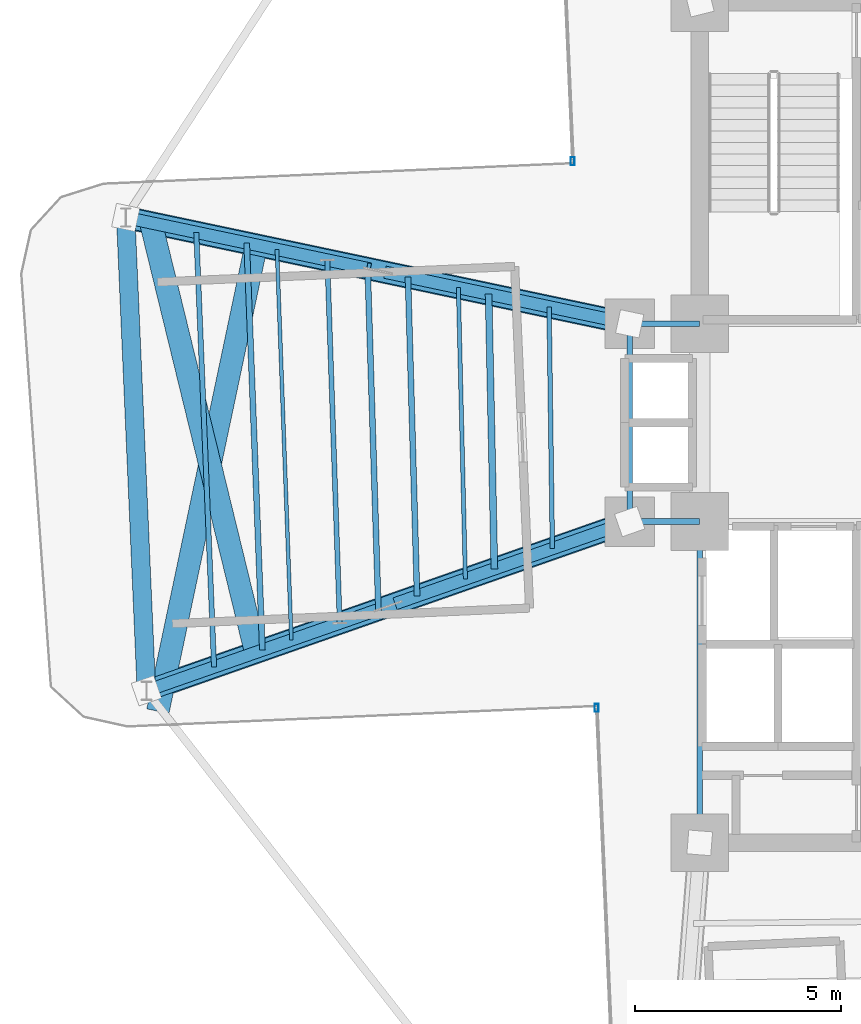
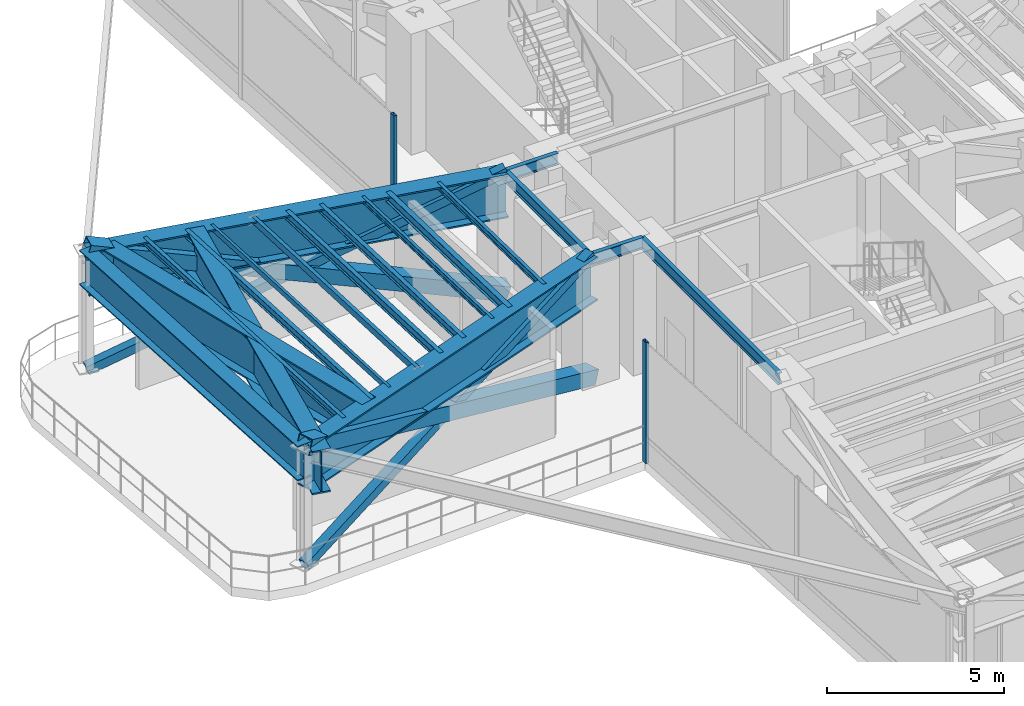
# One storey, part 5 of 18: 18 beams, 8 members, 2 elements without a shape of their own.
"""IFC4 building model written with IfcOpenShell, lengths in metres."""

from ifc_helpers import new_model, si_unit, direction, frame, origin, origin_2d, place, context, subcontext, project, spatial, hollow_rectangle, i_section, extrude, source, transform, mapped, material, material_profile, profile_set, type_object, element, aggregate, save


model = new_model("IFC4")

# Units and contexts
model_context = context("Model", 3, precision=1e-05, world=origin(), true_north=direction((0.0, 1.0)))
body_context = subcontext(model_context, "Body", "Model", "MODEL_VIEW")
ifc_project = project(units=[si_unit("LENGTHUNIT", "METRE"), si_unit("AREAUNIT", "SQUARE_METRE"), si_unit("VOLUMEUNIT", "CUBIC_METRE"), si_unit("PLANEANGLEUNIT", "RADIAN"), si_unit("MASSUNIT", "GRAM", prefix="KILO")], contexts=[model_context])

# Site, building, storey
site_placement = place(None, origin())
site = spatial("IfcSite", under=ifc_project, at=site_placement, CompositionType="ELEMENT")
building_placement = place(site_placement, origin())
building = spatial("IfcBuilding", under=site, at=building_placement, Name="Sahyath Konkavel Grand Hotel", CompositionType="ELEMENT")
storey_placement = place(building_placement, frame((0.0, 0.0, 138.25)))
storey = spatial("IfcBuildingStorey", under=building, at=storey_placement, Name="L38", CompositionType="ELEMENT", Elevation=138.25)

# Beams
ifc_material_1 = material(Name="Steel E350", Category="steel")
ifc_material_profile_1 = material_profile(ifc_material_1, i_section(OverallWidth=0.139892578125, OverallDepth=0.39990234375, WebThickness=0.0087890625, FlangeThickness=0.01611328125, FilletRadius=0.013916015625, at=origin_2d()), Name="ISMB 400")
ifc_profile_set_1 = profile_set([ifc_material_profile_1], Name="Steel E350")
beam_type_1 = type_object("IfcBeamType", Name="BM-ISMB400", PredefinedType="BEAM", material=ifc_profile_set_1)
shared_shape_1 = source(origin(), body_context, "Body", "SweptSolid", [
    extrude(i_section(OverallWidth=0.139892578125, OverallDepth=0.39990234375, WebThickness=0.0087890625, FlangeThickness=0.01611328125, FilletRadius=0.013916015625, at=origin_2d()), origin(), (0.0, 0.0, 1.0), 7.800048828125),
])
beam_1_placement = place(storey_placement, frame((-3.800048828125, -10.199951171875, 3.97998046875), z_axis=(0.0, 1.0, 0.0), x_axis=(-1.0, 0.0, 0.0)))
element("IfcBeam", 1, at=beam_1_placement, inside=storey, type_object=beam_type_1, Name="str:bm:L38:SC-W", PredefinedType="BEAM", context=body_context, shape_type="MappedRepresentation", body=[
    mapped(shared_shape_1, transform((0.0, 0.0, 0.0), scale=1.0)),
])
shared_shape_2 = source(origin(), body_context, "Body", "SweptSolid", [
    extrude(i_section(OverallWidth=0.139892578125, OverallDepth=0.39990234375, WebThickness=0.0087890625, FlangeThickness=0.01611328125, FilletRadius=0.013916015625, at=origin_2d()), origin(), (0.0, 0.0, 1.0), 1.699951171875),
])
for number, where, z_axis, x_axis, name in (
    (2, (-5.5, 2.39990234375, 3.97998046875), (1.0, 0.0, 0.0), (0.0, 1.0, 0.0), "str:bm:L38:HB-NW"),
    (3, (-5.5, -2.39990234375, 3.97998046875), (1.0, 0.0, 0.0), (0.0, 1.0, 0.0), "str:bm:L38:HB-SW"),
):
    element("IfcBeam", number, at=place(storey_placement, frame(where, z_axis=z_axis, x_axis=x_axis)), inside=storey, type_object=beam_type_1, Name=name, PredefinedType="BEAM", context=body_context, shape_type="MappedRepresentation", body=[
        mapped(shared_shape_2, transform((0.0, 0.0, 0.0), scale=1.0)),
    ])
shared_shape_3 = source(origin(), body_context, "Body", "SweptSolid", [
    extrude(i_section(OverallWidth=0.139892578125, OverallDepth=0.39990234375, WebThickness=0.0087890625, FlangeThickness=0.01611328125, FilletRadius=0.013916015625, at=origin_2d()), origin(), (0.0, 0.0, 1.0), 4.7998046875),
])
beam_2_placement = place(storey_placement, frame((-5.5, -2.39990234375, 3.97998046875), z_axis=(0.0, 1.0, 0.0), x_axis=(-1.0, 0.0, 0.0)))
element("IfcBeam", 4, at=beam_2_placement, inside=storey, type_object=beam_type_1, Name="str:bm:L38:HB-W", PredefinedType="BEAM", context=body_context, shape_type="MappedRepresentation", body=[
    mapped(shared_shape_3, transform((0.0, 0.0, 0.0), scale=1.0)),
])
ifc_material_profile_2 = material_profile(ifc_material_1, i_section(OverallWidth=0.1650390625, OverallDepth=0.324951171875, WebThickness=0.007080078125, FlangeThickness=0.009765625, FilletRadius=0.014892578125, at=origin_2d()), Name="ISLB 325")
ifc_profile_set_2 = profile_set([ifc_material_profile_2], Name="Steel E350")
beam_type_2 = type_object("IfcBeamType", Name="BM-ISLB325", PredefinedType="BEAM", material=ifc_profile_set_2)
shared_shape_4 = source(origin(), body_context, "Body", "SweptSolid", [
    extrude(i_section(OverallWidth=0.1650390625, OverallDepth=0.324951171875, WebThickness=0.007080078125, FlangeThickness=0.009765625, FilletRadius=0.014892578125, at=origin_2d()), origin(), (0.0, 0.0, 1.0), 6.674560546875),
])
beam_3_placement = place(storey_placement, frame((-8.925537109375, 3.122802734375, 4.017578125), z_axis=(0.021032188543, -0.999778799058, 0.0), x_axis=(0.999778799058, 0.021032188543, 0.0)))
element("IfcBeam", 5, at=beam_3_placement, inside=storey, type_object=beam_type_2, Name="L38 Secondary Floor Beam W-1", PredefinedType="BEAM", context=body_context, shape_type="MappedRepresentation", body=[
    mapped(shared_shape_4, transform((0.0, 0.0, 0.0), scale=1.0)),
])
ifc_material_profile_3 = material_profile(ifc_material_1, i_section(OverallWidth=0.139892578125, OverallDepth=0.300048828125, WebThickness=0.0078125, FlangeThickness=0.01318359375, FilletRadius=0.013916015625, at=origin_2d()), Name="ISMB 300")
ifc_profile_set_3 = profile_set([ifc_material_profile_3], Name="Steel E350")
beam_type_3 = type_object("IfcBeamType", Name="BM-ISMB300", PredefinedType="BEAM", material=ifc_profile_set_3)
shared_shape_5 = source(origin(), body_context, "Body", "SweptSolid", [
    extrude(i_section(OverallWidth=0.139892578125, OverallDepth=0.300048828125, WebThickness=0.0078125, FlangeThickness=0.01318359375, FilletRadius=0.013916015625, at=origin_2d()), origin(), (0.0, 0.0, 1.0), 8.282470703125),
])
beam_4_placement = place(storey_placement, frame((-11.86181640625, 3.7421875, 4.030029296875), z_axis=(0.031510827707, -0.999503410568, 0.0), x_axis=(0.999503410568, 0.031510827707, 0.0)))
element("IfcBeam", 6, at=beam_4_placement, inside=storey, type_object=beam_type_3, Name="L38 Secondary Floor Beam W-2", PredefinedType="BEAM", context=body_context, shape_type="MappedRepresentation", body=[
    mapped(shared_shape_5, transform((0.0, 0.0, 0.0), scale=1.0)),
])
ifc_material_profile_4 = material_profile(ifc_material_1, i_section(OverallWidth=0.139892578125, OverallDepth=0.27490234375, WebThickness=0.00634765625, FlangeThickness=0.0087890625, FilletRadius=0.012939453125, at=origin_2d()), Name="ISLB 275")
ifc_profile_set_4 = profile_set([ifc_material_profile_4], Name="Steel E350")
beam_type_4 = type_object("IfcBeamType", Name="BM-ISLB275", PredefinedType="BEAM", material=ifc_profile_set_4)
shared_shape_6 = source(origin(), body_context, "Body", "SweptSolid", [
    extrude(i_section(OverallWidth=0.139892578125, OverallDepth=0.27490234375, WebThickness=0.00634765625, FlangeThickness=0.0087890625, FilletRadius=0.012939453125, at=origin_2d()), origin(), (0.0, 0.0, 1.0), 9.89111328125),
])
beam_5_placement = place(storey_placement, frame((-14.798095703125, 4.36181640625, 4.04248046875), z_axis=(0.03855445741, -0.999256500511, 0.0), x_axis=(0.999256500511, 0.03855445741, 0.0)))
element("IfcBeam", 7, at=beam_5_placement, inside=storey, type_object=beam_type_4, Name="L38 Secondary Floor Beam W-3", PredefinedType="BEAM", context=body_context, shape_type="MappedRepresentation", body=[
    mapped(shared_shape_6, transform((0.0, 0.0, 0.0), scale=1.0)),
])
ifc_material_2 = material(Name="Steel E450", Category="steel")
ifc_material_profile_5 = material_profile(ifc_material_2, i_section(OverallWidth=0.550048828125, OverallDepth=1.5, WebThickness=0.028076171875, FlangeThickness=0.050048828125, at=origin_2d()), Name="BPG 1500x550")
ifc_profile_set_5 = profile_set([ifc_material_profile_5], Name="Steel E450")
beam_type_5 = type_object("IfcBeamType", Name="BM-BPG1500", PredefinedType="BEAM", material=ifc_profile_set_5)
shared_shape_7 = source(origin(), body_context, "Body", "SweptSolid", [
    extrude(i_section(OverallWidth=0.550048828125, OverallDepth=1.5, WebThickness=0.028076171875, FlangeThickness=0.050048828125, at=origin_2d()), origin(), (0.0, 0.0, 1.0), 12.50341796875),
])
beam_6_placement = place(storey_placement, frame((-5.5, 2.39990234375, 3.429931640625), z_axis=(-0.978457911392, 0.206446398937, 0.0), x_axis=(-0.206446398937, -0.978457911392, 0.0)))
element("IfcBeam", 8, at=beam_6_placement, inside=storey, type_object=beam_type_5, Name="L38 Setback Transfer Girder WA", PredefinedType="BEAM", context=body_context, shape_type="MappedRepresentation", body=[
    mapped(shared_shape_7, transform((0.0, 0.0, 0.0), scale=1.0)),
])
shared_shape_8 = source(origin(), body_context, "Body", "SweptSolid", [
    extrude(i_section(OverallWidth=0.550048828125, OverallDepth=1.5, WebThickness=0.028076171875, FlangeThickness=0.050048828125, at=origin_2d()), origin(), (0.0, 0.0, 1.0), 12.430908203125),
])
beam_7_placement = place(storey_placement, frame((-5.5, -2.39990234375, 3.429931640625), z_axis=(-0.943819157235, -0.330462400941, 0.0), x_axis=(0.330462400941, -0.943819157235, 0.0)))
element("IfcBeam", 9, at=beam_7_placement, inside=storey, type_object=beam_type_5, Name="L38 Setback Transfer Girder WB", PredefinedType="BEAM", context=body_context, shape_type="MappedRepresentation", body=[
    mapped(shared_shape_8, transform((0.0, 0.0, 0.0), scale=1.0)),
])
shared_shape_9 = source(origin(), body_context, "Body", "SweptSolid", [
    extrude(i_section(OverallWidth=0.550048828125, OverallDepth=1.5, WebThickness=0.028076171875, FlangeThickness=0.050048828125, at=origin_2d()), origin(), (0.0, 0.0, 1.0), 10.736083984375),
])
beam_8_placement = place(storey_placement, frame((-17.12255859375, 4.85205078125, 3.429931640625), z_axis=(0.23722419988, -0.971454928955, 0.0), x_axis=(0.971454928955, 0.23722419988, 0.0)))
element("IfcBeam", 10, at=beam_8_placement, inside=storey, type_object=beam_type_5, Name="L38 Setback Cross Transfer Girder W-1", PredefinedType="BEAM", context=body_context, shape_type="MappedRepresentation", body=[
    mapped(shared_shape_9, transform((0.0, 0.0, 0.0), scale=1.0)),
])
shared_shape_10 = source(origin(), body_context, "Body", "SweptSolid", [
    extrude(i_section(OverallWidth=0.550048828125, OverallDepth=1.5, WebThickness=0.028076171875, FlangeThickness=0.050048828125, at=origin_2d()), origin(), (0.0, 0.0, 1.0), 11.566162109375),
])
beam_9_placement = place(storey_placement, frame((-14.56640625, 4.312744140625, 3.429931640625), z_axis=(-0.206435980401, -0.978460109558, 0.0), x_axis=(0.978460109558, -0.206435980401, 0.0)))
element("IfcBeam", 11, at=beam_9_placement, inside=storey, type_object=beam_type_5, Name="L38 Setback Cross Transfer Girder W-2", PredefinedType="BEAM", context=body_context, shape_type="MappedRepresentation", body=[
    mapped(shared_shape_10, transform((0.0, 0.0, 0.0), scale=1.0)),
])
ifc_material_profile_6 = material_profile(ifc_material_2, i_section(OverallWidth=0.449951171875, OverallDepth=1.199951171875, WebThickness=0.02197265625, FlangeThickness=0.0400390625, at=origin_2d()), Name="BPG 1200x450")
ifc_profile_set_6 = profile_set([ifc_material_profile_6], Name="Steel E450")
beam_type_6 = type_object("IfcBeamType", Name="BM-BPG1200", PredefinedType="BEAM", material=ifc_profile_set_6)
shared_shape_11 = source(origin(), body_context, "Body", "SweptSolid", [
    extrude(i_section(OverallWidth=0.449951171875, OverallDepth=1.199951171875, WebThickness=0.02197265625, FlangeThickness=0.0400390625, at=origin_2d()), origin(), (0.0, 0.0, 1.0), 11.5),
])
beam_10_placement = place(storey_placement, frame((-17.734130859375, 4.981201171875, 3.580078125), z_axis=(0.043627008892, -0.99904788879, 0.0), x_axis=(0.99904788879, 0.043627008892, 0.0)))
element("IfcBeam", 12, at=beam_10_placement, inside=storey, type_object=beam_type_6, Name="L38 Wing Tip Edge Beam W", PredefinedType="BEAM", context=body_context, shape_type="MappedRepresentation", body=[
    mapped(shared_shape_11, transform((0.0, 0.0, 0.0), scale=1.0)),
])

# Members
ifc_material_profile_7 = material_profile(ifc_material_2, hollow_rectangle(XDim=0.5, YDim=0.5, WallThickness=0.02490234375, at=origin_2d()), Name="BOX 500x500x25")
ifc_profile_set_7 = profile_set([ifc_material_profile_7], Name="Steel E450")
member_type_1 = type_object("IfcMemberType", Name="BR-BOX500", PredefinedType="BRACE", material=ifc_profile_set_7)
shared_shape_12 = source(origin(), body_context, "Body", "SweptSolid", [
    extrude(hollow_rectangle(XDim=0.5, YDim=0.5, WallThickness=0.02490234375, at=origin_2d()), origin(), (0.0, 0.0, 1.0), 13.17724609375),
])
member_1_placement = place(storey_placement, frame((-5.5, 2.39990234375, 0.010009765625), z_axis=(-0.928422846572, 0.195889420622, 0.315687112266), x_axis=(-0.206446398937, -0.978457911392, 0.0)))
element("IfcMember", 13, at=member_1_placement, inside=storey, type_object=member_type_1, Name="L38 Core Outrigger Truss WA Continuous Diagonal 1", PredefinedType="BRACE", context=body_context, shape_type="MappedRepresentation", body=[
    mapped(shared_shape_12, transform((0.0, 0.0, 0.0), scale=1.0)),
])
ifc_material_profile_8 = material_profile(ifc_material_2, hollow_rectangle(XDim=0.300048828125, YDim=0.300048828125, WallThickness=0.01611328125, at=origin_2d()), Name="SHS 300x300x16")
ifc_profile_set_8 = profile_set([ifc_material_profile_8], Name="Steel E450")
member_type_2 = type_object("IfcMemberType", Name="BR-SHS300", PredefinedType="BRACE", material=ifc_profile_set_8)
shared_shape_13 = source(origin(), body_context, "Body", "SweptSolid", [
    extrude(hollow_rectangle(XDim=0.300048828125, YDim=0.300048828125, WallThickness=0.01611328125, at=origin_2d()), origin(), (0.0, 0.0, 1.0), 6.3486328125),
])
for number, where, z_axis, x_axis, name in (
    (14, (-17.734130859375, 4.981201171875, 0.010009765625), (0.928425197012, -0.195891063811, 0.31567917998), (0.206447556496, 0.978457667156, 0.0), "L38 Core Outrigger Truss WA Split Lower Diagonal 2A"),
    (15, (-11.394287109375, 3.6435546875, 2.165771484375), (0.928425197012, -0.195891063811, 0.31567917998), (0.206447556496, 0.978457667156, 0.0), "L38 Core Outrigger Truss WA Split Upper Diagonal 2B"),
):
    element("IfcMember", number, at=place(storey_placement, frame(where, z_axis=z_axis, x_axis=x_axis)), inside=storey, type_object=member_type_2, Name=name, PredefinedType="BRACE", context=body_context, shape_type="MappedRepresentation", body=[
        mapped(shared_shape_13, transform((0.0, 0.0, 0.0), scale=1.0)),
    ])
shared_shape_14 = source(origin(), body_context, "Body", "SweptSolid", [
    extrude(hollow_rectangle(XDim=0.5, YDim=0.5, WallThickness=0.02490234375, at=origin_2d()), origin(), (0.0, 0.0, 1.0), 13.1083984375),
])
member_2_placement = place(storey_placement, frame((-5.5, -2.39990234375, 0.010009765625), z_axis=(-0.895032458723, -0.313380559149, 0.317347637427), x_axis=(0.330462400941, -0.943819157235, 0.0)))
element("IfcMember", 16, at=member_2_placement, inside=storey, type_object=member_type_1, Name="L38 Core Outrigger Truss WB Continuous Diagonal 1", PredefinedType="BRACE", context=body_context, shape_type="MappedRepresentation", body=[
    mapped(shared_shape_14, transform((0.0, 0.0, 0.0), scale=1.0)),
])
shared_shape_15 = source(origin(), body_context, "Body", "SweptSolid", [
    extrude(hollow_rectangle(XDim=0.300048828125, YDim=0.300048828125, WallThickness=0.01611328125, at=origin_2d()), origin(), (0.0, 0.0, 1.0), 6.314208984375),
])
for number, where, z_axis, x_axis, name in (
    (17, (-17.232421875, -6.5078125, 0.010009765625), (0.895036347172, 0.313347786309, 0.317369031345), (-0.330430336429, 0.943830383473, 0.0), "L38 Core Outrigger Truss WB Split Lower Diagonal 2A"),
    (18, (-11.1513671875, -4.378662109375, 2.166259765625), (0.895036484998, 0.313386500385, 0.317330414393), (-0.330466657581, 0.943817666834, 0.0), "L38 Core Outrigger Truss WB Split Upper Diagonal 2B"),
):
    element("IfcMember", number, at=place(storey_placement, frame(where, z_axis=z_axis, x_axis=x_axis)), inside=storey, type_object=member_type_2, Name=name, PredefinedType="BRACE", context=body_context, shape_type="MappedRepresentation", body=[
        mapped(shared_shape_15, transform((0.0, 0.0, 0.0), scale=1.0)),
    ])

# Beams
ifc_material_profile_9 = material_profile(ifc_material_1, i_section(OverallWidth=0.110107421875, OverallDepth=0.22509765625, WebThickness=0.006591796875, FlangeThickness=0.01171875, FilletRadius=0.011962890625, at=origin_2d()), Name="ISMB 225")
ifc_profile_set_9 = profile_set([ifc_material_profile_9], Name="Steel E350")
beam_type_7 = type_object("IfcBeamType", Name="BM-ISMB225", PredefinedType="BEAM", material=ifc_profile_set_9)
shared_shape_16 = source(origin(), body_context, "Body", "SweptSolid", [
    extrude(i_section(OverallWidth=0.110107421875, OverallDepth=0.22509765625, WebThickness=0.006591796875, FlangeThickness=0.01171875, FilletRadius=0.011962890625, at=origin_2d()), origin(), (0.0, 0.0, 1.0), 5.870849609375),
])
beam_11_placement = place(storey_placement, frame((-7.45751953125, 2.81298828125, 4.0673828125), z_axis=(0.013681397685, -0.999906405299, 0.0), x_axis=(0.999906405299, 0.013681397685, 0.0)))
element("IfcBeam", 19, at=beam_11_placement, inside=storey, type_object=beam_type_7, Name="L38 Composite Deck Sub-Beam W-1", PredefinedType="BEAM", context=body_context, shape_type="MappedRepresentation", body=[
    mapped(shared_shape_16, transform((0.0, 0.0, 0.0), scale=1.0)),
])
ifc_material_profile_10 = material_profile(ifc_material_1, i_section(OverallWidth=0.10009765625, OverallDepth=0.199951171875, WebThickness=0.005615234375, FlangeThickness=0.0107421875, FilletRadius=0.010986328125, at=origin_2d()), Name="ISMB 200")
ifc_profile_set_10 = profile_set([ifc_material_profile_10], Name="Steel E350")
beam_type_8 = type_object("IfcBeamType", Name="BM-ISMB200", PredefinedType="BEAM", material=ifc_profile_set_10)
shared_shape_17 = source(origin(), body_context, "Body", "SweptSolid", [
    extrude(i_section(OverallWidth=0.10009765625, OverallDepth=0.199951171875, WebThickness=0.005615234375, FlangeThickness=0.0107421875, FilletRadius=0.010986328125, at=origin_2d()), origin(), (0.0, 0.0, 1.0), 7.076171875),
])
beam_12_placement = place(storey_placement, frame((-9.65966796875, 3.277587890625, 4.080078125), z_axis=(0.024116396364, -0.999709157419, 0.0), x_axis=(0.999709157419, 0.024116396364, 0.0)))
element("IfcBeam", 20, at=beam_12_placement, inside=storey, type_object=beam_type_8, Name="L38 Composite Deck Sub-Beam W-2", PredefinedType="BEAM", context=body_context, shape_type="MappedRepresentation", body=[
    mapped(shared_shape_17, transform((0.0, 0.0, 0.0), scale=1.0)),
])
shared_shape_18 = source(origin(), body_context, "Body", "SweptSolid", [
    extrude(i_section(OverallWidth=0.139892578125, OverallDepth=0.27490234375, WebThickness=0.00634765625, FlangeThickness=0.0087890625, FilletRadius=0.012939453125, at=origin_2d()), origin(), (0.0, 0.0, 1.0), 7.746337890625),
])
beam_13_placement = place(storey_placement, frame((-10.883056640625, 3.53564453125, 4.04248046875), z_axis=(0.02849139268, -0.999594037869, 0.0), x_axis=(0.999594037869, 0.02849139268, 0.0)))
element("IfcBeam", 21, at=beam_13_placement, inside=storey, type_object=beam_type_4, Name="L38 Composite Deck Sub-Beam W-3", PredefinedType="BEAM", context=body_context, shape_type="MappedRepresentation", body=[
    mapped(shared_shape_18, transform((0.0, 0.0, 0.0), scale=1.0)),
])
ifc_material_profile_11 = material_profile(ifc_material_1, hollow_rectangle(XDim=0.1201171875, YDim=0.219970703125, WallThickness=0.010009765625, at=origin_2d()), Name="RHS 220x120x10")
ifc_profile_set_11 = profile_set([ifc_material_profile_11], Name="Steel E350")
beam_type_9 = type_object("IfcBeamType", Name="BM-RHS220", PredefinedType="BEAM", material=ifc_profile_set_11)
shared_shape_19 = source(origin(), body_context, "Body", "SweptSolid", [
    extrude(hollow_rectangle(XDim=0.1201171875, YDim=0.219970703125, WallThickness=0.010009765625, at=origin_2d()), origin(), (0.0, 0.0, 1.0), 8.818603515625),
])
beam_14_placement = place(storey_placement, frame((-12.840576171875, 3.94873046875, 4.070068359375), z_axis=(0.034135219852, -0.999417223569, 0.0), x_axis=(0.999417223569, 0.034135219852, 0.0)))
element("IfcBeam", 22, at=beam_14_placement, inside=storey, type_object=beam_type_9, Name="L38 Composite Deck Sub-Beam W-4", PredefinedType="BEAM", context=body_context, shape_type="MappedRepresentation", body=[
    mapped(shared_shape_19, transform((0.0, 0.0, 0.0), scale=1.0)),
])
ifc_material_profile_12 = material_profile(ifc_material_1, hollow_rectangle(XDim=0.090087890625, YDim=0.179931640625, WallThickness=0.008056640625, at=origin_2d()), Name="RHS 180x90x8")
ifc_profile_set_12 = profile_set([ifc_material_profile_12], Name="Steel E350")
beam_type_10 = type_object("IfcBeamType", Name="BM-RHS180", PredefinedType="BEAM", material=ifc_profile_set_12)
shared_shape_20 = source(origin(), body_context, "Body", "SweptSolid", [
    extrude(hollow_rectangle(XDim=0.090087890625, YDim=0.179931640625, WallThickness=0.008056640625, at=origin_2d()), origin(), (0.0, 0.0, 1.0), 9.48876953125),
])
beam_15_placement = place(storey_placement, frame((-14.06396484375, 4.206787109375, 4.090087890625), z_axis=(0.03699928911, -0.99931529189, 0.0), x_axis=(0.99931529189, 0.03699928911, 0.0)))
element("IfcBeam", 23, at=beam_15_placement, inside=storey, type_object=beam_type_10, Name="L38 Composite Deck Sub-Beam W-5", PredefinedType="BEAM", context=body_context, shape_type="MappedRepresentation", body=[
    mapped(shared_shape_20, transform((0.0, 0.0, 0.0), scale=1.0)),
])
ifc_material_profile_13 = material_profile(ifc_material_1, i_section(OverallWidth=0.125, OverallDepth=0.25, WebThickness=0.0068359375, FlangeThickness=0.012451171875, FilletRadius=0.012939453125, at=origin_2d()), Name="ISMB 250")
ifc_profile_set_13 = profile_set([ifc_material_profile_13], Name="Steel E350")
beam_type_11 = type_object("IfcBeamType", Name="BM-ISMB250", PredefinedType="BEAM", material=ifc_profile_set_13)
shared_shape_21 = source(origin(), body_context, "Body", "SweptSolid", [
    extrude(i_section(OverallWidth=0.125, OverallDepth=0.25, WebThickness=0.0068359375, FlangeThickness=0.012451171875, FilletRadius=0.012939453125, at=origin_2d()), origin(), (0.0, 0.0, 1.0), 10.5615234375),
])
beam_16_placement = place(storey_placement, frame((-16.021484375, 4.619873046875, 4.054931640625), z_axis=(0.040869027801, -0.999164512263, 0.0), x_axis=(0.999164512263, 0.040869027801, 0.0)))
element("IfcBeam", 24, at=beam_16_placement, inside=storey, type_object=beam_type_11, Name="L38 Composite Deck Sub-Beam W-6", PredefinedType="BEAM", context=body_context, shape_type="MappedRepresentation", body=[
    mapped(shared_shape_21, transform((0.0, 0.0, 0.0), scale=1.0)),
])

# Curtain wall, member
ifc_material_3 = material(Name="Anodised Bronze Aluminium & Low-E Glazing", Category="aluminium")
curtain_wall_type = type_object("IfcCurtainWallType", Name="CW-SKYLOBBY", PredefinedType="NOTDEFINED", material=ifc_material_3)
curtain_wall_1_placement = place(storey_placement, origin())
curtain_wall_1 = element("IfcCurtainWall", 25, at=curtain_wall_1_placement, inside=storey, type_object=curtain_wall_type, Name="L38 Unitised Curtain Wall RF15", PredefinedType="NOTDEFINED")
ifc_material_4 = material(Name="Anodised Bronze Aluminium", Category="aluminium")
ifc_material_profile_14 = material_profile(ifc_material_4, hollow_rectangle(XDim=0.10009765625, YDim=0.199951171875, WallThickness=0.008056640625, at=origin_2d()), Name="RHS 200x100x8")
ifc_profile_set_14 = profile_set([ifc_material_profile_14], Name="Anodised Bronze Aluminium")
member_type_3 = type_object("IfcMemberType", Name="CW-MUL-200", PredefinedType="MULLION", material=ifc_profile_set_14)
shared_shape_22 = source(origin(), body_context, "Body", "SweptSolid", [
    extrude(hollow_rectangle(XDim=0.10009765625, YDim=0.199951171875, WallThickness=0.008056640625, at=origin_2d()), origin(), (0.0, 0.0, 1.0), 4.179931640625),
])
member_3_placement = place(storey_placement, frame((-6.88330078125, 6.345703125, 0.0), z_axis=(0.0, 0.0, 1.0), x_axis=(1.0, 0.0, 0.0)))
member_3 = element("IfcMember", 26, at=member_3_placement, type_object=member_type_3, Name="L38 Curtain Wall Mullion RF15-2", PredefinedType="MULLION", context=body_context, shape_type="MappedRepresentation", body=[
    mapped(shared_shape_22, transform((0.0, 0.0, 0.0), scale=1.0)),
])
aggregate(curtain_wall_1, [member_3])

curtain_wall_2_placement = place(storey_placement, origin())
curtain_wall_2 = element("IfcCurtainWall", 27, at=curtain_wall_2_placement, inside=storey, type_object=curtain_wall_type, Name="L38 Unitised Curtain Wall RF24", PredefinedType="NOTDEFINED")
member_4_placement = place(storey_placement, frame((-6.30419921875, -6.921630859375, 0.0), z_axis=(0.0, 0.0, 1.0), x_axis=(1.0, 0.0, 0.0)))
member_4 = element("IfcMember", 28, at=member_4_placement, type_object=member_type_3, Name="L38 Curtain Wall Mullion RF24-0", PredefinedType="MULLION", context=body_context, shape_type="MappedRepresentation", body=[
    mapped(shared_shape_22, transform((0.0, 0.0, 0.0), scale=1.0)),
])
aggregate(curtain_wall_2, [member_4])

save(model, "model.ifc")
